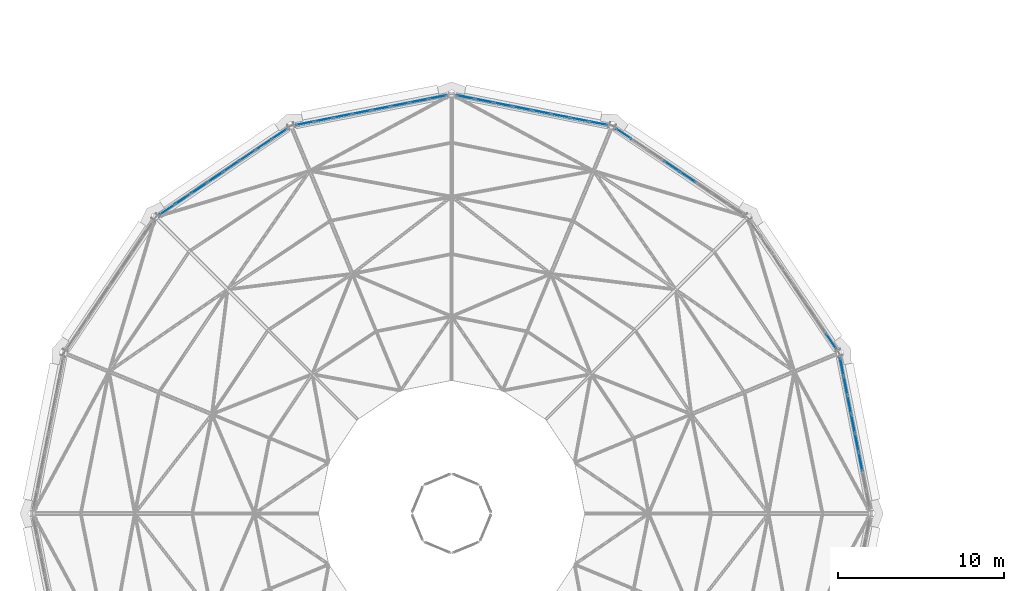
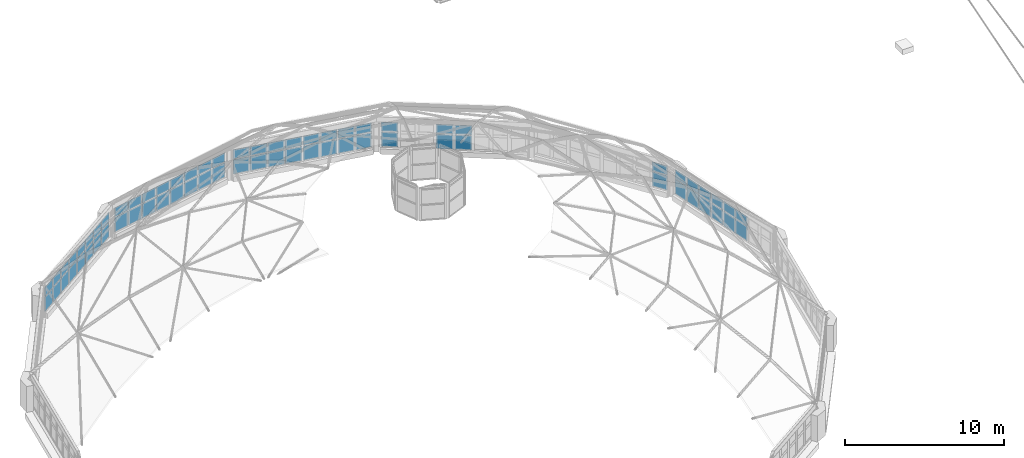
# One storey, part 43 of 68: 68 plates, 6 elements without a shape of their own.
"""IFC4 building model written with IfcOpenShell, lengths in metres."""

from ifc_helpers import new_model, si_unit, direction, frame, origin, origin_2d, place, context, subcontext, project, spatial, rectangle, extrude, material, layer, layer_set, type_object, element, aggregate, save


model = new_model("IFC4")

# Units and contexts
model_context = context("Model", 3, precision=1e-05, world=origin(), true_north=direction((0.0, 1.0)))
body_context = subcontext(model_context, "Body", "Model", "MODEL_VIEW")
ifc_project = project(units=[si_unit("LENGTHUNIT", "METRE"), si_unit("AREAUNIT", "SQUARE_METRE"), si_unit("VOLUMEUNIT", "CUBIC_METRE"), si_unit("PLANEANGLEUNIT", "RADIAN"), si_unit("MASSUNIT", "GRAM", prefix="KILO")], contexts=[model_context])

# Site, building, storey
site_placement = place(None, origin())
site = spatial("IfcSite", under=ifc_project, at=site_placement, CompositionType="ELEMENT")
building_placement = place(site_placement, origin())
building = spatial("IfcBuilding", under=site, at=building_placement, Name="Kupolbacken Congress Centre", CompositionType="ELEMENT")
storey_placement = place(building_placement, frame((0.0, 0.0, 25.199951171875)))
storey = spatial("IfcBuildingStorey", under=building, at=storey_placement, Name="L07", CompositionType="ELEMENT", Elevation=25.199951171875)

# Curtain wall, plates
ifc_material_1 = material(Name="Aluminium mullion-transom frame with glass", Category="aluminium")
curtain_wall_type = type_object("IfcCurtainWallType", Name="CW3 curtain wall 9830x3600", PredefinedType="NOTDEFINED", material=ifc_material_1)
curtain_wall_1_placement = place(storey_placement, origin())
curtain_wall_1 = element("IfcCurtainWall", 1, at=curtain_wall_1_placement, inside=storey, type_object=curtain_wall_type, Name="E/P/drum/cw/L07/08", PredefinedType="NOTDEFINED")
ifc_material_2 = material(Name="Glass", Category="glass")
ifc_layer = layer(ifc_material_2, 0.028076171875)
ifc_layer_set = layer_set([ifc_layer], Name="Glass")
plate_type = type_object("IfcPlateType", Name="GL1 glass panel 28", PredefinedType="CURTAIN_PANEL", material=ifc_layer_set)
plate_1_placement = place(storey_placement, frame((67.7880859375, 89.507568359375, 0.4599609375), z_axis=(0.0, 0.0, 1.0), x_axis=(-0.193182327812, 0.981162875481, 0.0)))
plate_1 = element("IfcPlate", 2, at=plate_1_placement, type_object=plate_type, Name="CW3 panel 3.1", PredefinedType="CURTAIN_PANEL", context=body_context, shape_type="SweptSolid", body=[
    extrude(rectangle(XDim=1.10693359375, YDim=0.028076171875, at=origin_2d()), origin(), (0.0, 0.0, 1.0), 1.110107421875),
])
plate_2_placement = place(storey_placement, frame((67.7880859375, 89.507568359375, 1.6298828125), z_axis=(0.0, 0.0, 1.0), x_axis=(-0.193182327812, 0.981162875481, 0.0)))
plate_2 = element("IfcPlate", 3, at=plate_2_placement, type_object=plate_type, Name="CW3 panel 3.2", PredefinedType="CURTAIN_PANEL", context=body_context, shape_type="SweptSolid", body=[
    extrude(rectangle(XDim=1.10693359375, YDim=0.028076171875, at=origin_2d()), origin(), (0.0, 0.0, 1.0), 0.699951171875),
])
plate_3_placement = place(storey_placement, frame((67.562744140625, 90.652587890625, 0.4599609375), z_axis=(0.0, 0.0, 1.0), x_axis=(-0.193182327812, 0.981162875481, 0.0)))
plate_3 = element("IfcPlate", 4, at=plate_3_placement, type_object=plate_type, Name="CW3 panel 4.1", PredefinedType="CURTAIN_PANEL", context=body_context, shape_type="SweptSolid", body=[
    extrude(rectangle(XDim=1.10693359375, YDim=0.028076171875, at=origin_2d()), origin(), (0.0, 0.0, 1.0), 1.110107421875),
])
plate_4_placement = place(storey_placement, frame((67.562744140625, 90.652587890625, 1.6298828125), z_axis=(0.0, 0.0, 1.0), x_axis=(-0.193182327812, 0.981162875481, 0.0)))
plate_4 = element("IfcPlate", 5, at=plate_4_placement, type_object=plate_type, Name="CW3 panel 4.2", PredefinedType="CURTAIN_PANEL", context=body_context, shape_type="SweptSolid", body=[
    extrude(rectangle(XDim=1.10693359375, YDim=0.028076171875, at=origin_2d()), origin(), (0.0, 0.0, 1.0), 0.699951171875),
])
plate_5_placement = place(storey_placement, frame((67.33740234375, 91.79736328125, 0.4599609375), z_axis=(0.0, 0.0, 1.0), x_axis=(-0.193182327812, 0.981162875481, 0.0)))
plate_5 = element("IfcPlate", 6, at=plate_5_placement, type_object=plate_type, Name="CW3 panel 5.1", PredefinedType="CURTAIN_PANEL", context=body_context, shape_type="SweptSolid", body=[
    extrude(rectangle(XDim=1.10693359375, YDim=0.028076171875, at=origin_2d()), origin(), (0.0, 0.0, 1.0), 1.110107421875),
])
plate_6_placement = place(storey_placement, frame((67.33740234375, 91.79736328125, 1.6298828125), z_axis=(0.0, 0.0, 1.0), x_axis=(-0.193182327812, 0.981162875481, 0.0)))
plate_6 = element("IfcPlate", 7, at=plate_6_placement, type_object=plate_type, Name="CW3 panel 5.2", PredefinedType="CURTAIN_PANEL", context=body_context, shape_type="SweptSolid", body=[
    extrude(rectangle(XDim=1.10693359375, YDim=0.028076171875, at=origin_2d()), origin(), (0.0, 0.0, 1.0), 0.699951171875),
])
plate_7_placement = place(storey_placement, frame((67.11181640625, 92.9423828125, 0.4599609375), z_axis=(0.0, 0.0, 1.0), x_axis=(-0.193182327812, 0.981162875481, 0.0)))
plate_7 = element("IfcPlate", 8, at=plate_7_placement, type_object=plate_type, Name="CW3 panel 6.1", PredefinedType="CURTAIN_PANEL", context=body_context, shape_type="SweptSolid", body=[
    extrude(rectangle(XDim=1.10693359375, YDim=0.028076171875, at=origin_2d()), origin(), (0.0, 0.0, 1.0), 1.110107421875),
])
plate_8_placement = place(storey_placement, frame((67.11181640625, 92.9423828125, 1.6298828125), z_axis=(0.0, 0.0, 1.0), x_axis=(-0.193182327812, 0.981162875481, 0.0)))
plate_8 = element("IfcPlate", 9, at=plate_8_placement, type_object=plate_type, Name="CW3 panel 6.2", PredefinedType="CURTAIN_PANEL", context=body_context, shape_type="SweptSolid", body=[
    extrude(rectangle(XDim=1.10693359375, YDim=0.028076171875, at=origin_2d()), origin(), (0.0, 0.0, 1.0), 0.699951171875),
])
plate_9_placement = place(storey_placement, frame((66.886474609375, 94.08740234375, 0.4599609375), z_axis=(0.0, 0.0, 1.0), x_axis=(-0.193182327812, 0.981162875481, 0.0)))
plate_9 = element("IfcPlate", 10, at=plate_9_placement, type_object=plate_type, Name="CW3 panel 7.1", PredefinedType="CURTAIN_PANEL", context=body_context, shape_type="SweptSolid", body=[
    extrude(rectangle(XDim=1.10693359375, YDim=0.028076171875, at=origin_2d()), origin(), (0.0, 0.0, 1.0), 1.110107421875),
])
plate_10_placement = place(storey_placement, frame((66.886474609375, 94.08740234375, 1.6298828125), z_axis=(0.0, 0.0, 1.0), x_axis=(-0.193182327812, 0.981162875481, 0.0)))
plate_10 = element("IfcPlate", 11, at=plate_10_placement, type_object=plate_type, Name="CW3 panel 7.2", PredefinedType="CURTAIN_PANEL", context=body_context, shape_type="SweptSolid", body=[
    extrude(rectangle(XDim=1.10693359375, YDim=0.028076171875, at=origin_2d()), origin(), (0.0, 0.0, 1.0), 0.699951171875),
])
plate_11_placement = place(storey_placement, frame((66.663818359375, 95.217529296875, 0.4599609375), z_axis=(0.0, 0.0, 1.0), x_axis=(-0.193182327812, 0.981162875481, 0.0)))
plate_11 = element("IfcPlate", 12, at=plate_11_placement, type_object=plate_type, Name="CW3 panel 8.1", PredefinedType="CURTAIN_PANEL", context=body_context, shape_type="SweptSolid", body=[
    extrude(rectangle(XDim=1.076904296875, YDim=0.028076171875, at=origin_2d()), origin(), (0.0, 0.0, 1.0), 1.110107421875),
])
plate_12_placement = place(storey_placement, frame((66.663818359375, 95.217529296875, 1.6298828125), z_axis=(0.0, 0.0, 1.0), x_axis=(-0.193182327812, 0.981162875481, 0.0)))
plate_12 = element("IfcPlate", 13, at=plate_12_placement, type_object=plate_type, Name="CW3 panel 8.2", PredefinedType="CURTAIN_PANEL", context=body_context, shape_type="SweptSolid", body=[
    extrude(rectangle(XDim=1.076904296875, YDim=0.028076171875, at=origin_2d()), origin(), (0.0, 0.0, 1.0), 0.699951171875),
])
aggregate(curtain_wall_1, [plate_1, plate_2, plate_3, plate_4, plate_5, plate_6, plate_7, plate_8, plate_9, plate_10, plate_11, plate_12])

curtain_wall_2_placement = place(storey_placement, origin())
curtain_wall_2 = element("IfcCurtainWall", 14, at=curtain_wall_2_placement, inside=storey, type_object=curtain_wall_type, Name="E/P/drum/cw/L07/09", PredefinedType="NOTDEFINED")
plate_13_placement = place(storey_placement, frame((66.025390625, 96.753173828125, 0.4599609375), z_axis=(0.0, 0.0, 1.0), x_axis=(-0.559385512775, 0.82890762338, 0.0)))
plate_13 = element("IfcPlate", 15, at=plate_13_placement, type_object=plate_type, Name="CW3 panel 1.1", PredefinedType="CURTAIN_PANEL", context=body_context, shape_type="SweptSolid", body=[
    extrude(rectangle(XDim=1.076416015625, YDim=0.028076171875, at=origin_2d()), origin(), (0.0, 0.0, 1.0), 1.110107421875),
])
plate_14_placement = place(storey_placement, frame((66.025390625, 96.753173828125, 1.6298828125), z_axis=(0.0, 0.0, 1.0), x_axis=(-0.559385512775, 0.82890762338, 0.0)))
plate_14 = element("IfcPlate", 16, at=plate_14_placement, type_object=plate_type, Name="CW3 panel 1.2", PredefinedType="CURTAIN_PANEL", context=body_context, shape_type="SweptSolid", body=[
    extrude(rectangle(XDim=1.076416015625, YDim=0.028076171875, at=origin_2d()), origin(), (0.0, 0.0, 1.0), 0.699951171875),
])
aggregate(curtain_wall_2, [plate_13, plate_14])

curtain_wall_3_placement = place(storey_placement, origin())
curtain_wall_3 = element("IfcCurtainWall", 17, at=curtain_wall_3_placement, inside=storey, type_object=curtain_wall_type, Name="E/P/drum/cw/L07/10", PredefinedType="NOTDEFINED")
plate_15_placement = place(storey_placement, frame((57.408447265625, 106.623779296875, 0.4599609375), z_axis=(0.0, 0.0, 1.0), x_axis=(-0.82890762338, 0.559385512775, 0.0)))
plate_15 = element("IfcPlate", 18, at=plate_15_placement, type_object=plate_type, Name="CW3 panel 4.1", PredefinedType="CURTAIN_PANEL", context=body_context, shape_type="SweptSolid", body=[
    extrude(rectangle(XDim=1.1064453125, YDim=0.028076171875, at=origin_2d()), origin(), (0.0, 0.0, 1.0), 1.110107421875),
])
plate_16_placement = place(storey_placement, frame((57.408447265625, 106.623779296875, 1.6298828125), z_axis=(0.0, 0.0, 1.0), x_axis=(-0.82890762338, 0.559385512775, 0.0)))
plate_16 = element("IfcPlate", 19, at=plate_16_placement, type_object=plate_type, Name="CW3 panel 4.2", PredefinedType="CURTAIN_PANEL", context=body_context, shape_type="SweptSolid", body=[
    extrude(rectangle(XDim=1.1064453125, YDim=0.028076171875, at=origin_2d()), origin(), (0.0, 0.0, 1.0), 0.699951171875),
])
plate_17_placement = place(storey_placement, frame((56.441650390625, 107.2763671875, 0.4599609375), z_axis=(0.0, 0.0, 1.0), x_axis=(-0.82890762338, 0.559385512775, 0.0)))
plate_17 = element("IfcPlate", 20, at=plate_17_placement, type_object=plate_type, Name="CW3 panel 5.1", PredefinedType="CURTAIN_PANEL", context=body_context, shape_type="SweptSolid", body=[
    extrude(rectangle(XDim=1.1064453125, YDim=0.028076171875, at=origin_2d()), origin(), (0.0, 0.0, 1.0), 1.110107421875),
])
plate_18_placement = place(storey_placement, frame((56.441650390625, 107.2763671875, 1.6298828125), z_axis=(0.0, 0.0, 1.0), x_axis=(-0.82890762338, 0.559385512775, 0.0)))
plate_18 = element("IfcPlate", 21, at=plate_18_placement, type_object=plate_type, Name="CW3 panel 5.2", PredefinedType="CURTAIN_PANEL", context=body_context, shape_type="SweptSolid", body=[
    extrude(rectangle(XDim=1.1064453125, YDim=0.028076171875, at=origin_2d()), origin(), (0.0, 0.0, 1.0), 0.699951171875),
])
plate_19_placement = place(storey_placement, frame((53.55322265625, 109.2255859375, 0.4599609375), z_axis=(0.0, 0.0, 1.0), x_axis=(-0.82890762338, 0.559385512775, 0.0)))
plate_19 = element("IfcPlate", 22, at=plate_19_placement, type_object=plate_type, Name="CW3 panel 8.1", PredefinedType="CURTAIN_PANEL", context=body_context, shape_type="SweptSolid", body=[
    extrude(rectangle(XDim=1.076416015625, YDim=0.028076171875, at=origin_2d()), origin(), (0.0, 0.0, 1.0), 1.110107421875),
])
plate_20_placement = place(storey_placement, frame((53.55322265625, 109.2255859375, 1.6298828125), z_axis=(0.0, 0.0, 1.0), x_axis=(-0.82890762338, 0.559385512775, 0.0)))
plate_20 = element("IfcPlate", 23, at=plate_20_placement, type_object=plate_type, Name="CW3 panel 8.2", PredefinedType="CURTAIN_PANEL", context=body_context, shape_type="SweptSolid", body=[
    extrude(rectangle(XDim=1.076416015625, YDim=0.028076171875, at=origin_2d()), origin(), (0.0, 0.0, 1.0), 0.699951171875),
])
aggregate(curtain_wall_3, [plate_15, plate_16, plate_17, plate_18, plate_19, plate_20])

curtain_wall_4_placement = place(storey_placement, origin())
curtain_wall_4 = element("IfcCurtainWall", 24, at=curtain_wall_4_placement, inside=storey, type_object=curtain_wall_type, Name="E/P/drum/cw/L07/11", PredefinedType="NOTDEFINED")
plate_21_placement = place(storey_placement, frame((52.017578125, 109.864013671875, 0.4599609375), z_axis=(0.0, 0.0, 1.0), x_axis=(-0.981162875481, 0.193182327812, 0.0)))
plate_21 = element("IfcPlate", 25, at=plate_21_placement, type_object=plate_type, Name="CW3 panel 1.1", PredefinedType="CURTAIN_PANEL", context=body_context, shape_type="SweptSolid", body=[
    extrude(rectangle(XDim=1.076904296875, YDim=0.028076171875, at=origin_2d()), origin(), (0.0, 0.0, 1.0), 1.110107421875),
])
plate_22_placement = place(storey_placement, frame((52.017578125, 109.864013671875, 1.6298828125), z_axis=(0.0, 0.0, 1.0), x_axis=(-0.981162875481, 0.193182327812, 0.0)))
plate_22 = element("IfcPlate", 26, at=plate_22_placement, type_object=plate_type, Name="CW3 panel 1.2", PredefinedType="CURTAIN_PANEL", context=body_context, shape_type="SweptSolid", body=[
    extrude(rectangle(XDim=1.076904296875, YDim=0.028076171875, at=origin_2d()), origin(), (0.0, 0.0, 1.0), 0.699951171875),
])
plate_23_placement = place(storey_placement, frame((50.88720703125, 110.08642578125, 0.4599609375), z_axis=(0.0, 0.0, 1.0), x_axis=(-0.981162875481, 0.193182327812, 0.0)))
plate_23 = element("IfcPlate", 27, at=plate_23_placement, type_object=plate_type, Name="CW3 panel 2.1", PredefinedType="CURTAIN_PANEL", context=body_context, shape_type="SweptSolid", body=[
    extrude(rectangle(XDim=1.10693359375, YDim=0.028076171875, at=origin_2d()), origin(), (0.0, 0.0, 1.0), 1.110107421875),
])
plate_24_placement = place(storey_placement, frame((50.88720703125, 110.08642578125, 1.6298828125), z_axis=(0.0, 0.0, 1.0), x_axis=(-0.981162875481, 0.193182327812, 0.0)))
plate_24 = element("IfcPlate", 28, at=plate_24_placement, type_object=plate_type, Name="CW3 panel 2.2", PredefinedType="CURTAIN_PANEL", context=body_context, shape_type="SweptSolid", body=[
    extrude(rectangle(XDim=1.10693359375, YDim=0.028076171875, at=origin_2d()), origin(), (0.0, 0.0, 1.0), 0.699951171875),
])
plate_25_placement = place(storey_placement, frame((49.742431640625, 110.311767578125, 0.4599609375), z_axis=(0.0, 0.0, 1.0), x_axis=(-0.981162875481, 0.193182327812, 0.0)))
plate_25 = element("IfcPlate", 29, at=plate_25_placement, type_object=plate_type, Name="CW3 panel 3.1", PredefinedType="CURTAIN_PANEL", context=body_context, shape_type="SweptSolid", body=[
    extrude(rectangle(XDim=1.10693359375, YDim=0.028076171875, at=origin_2d()), origin(), (0.0, 0.0, 1.0), 1.110107421875),
])
plate_26_placement = place(storey_placement, frame((49.742431640625, 110.311767578125, 1.6298828125), z_axis=(0.0, 0.0, 1.0), x_axis=(-0.981162875481, 0.193182327812, 0.0)))
plate_26 = element("IfcPlate", 30, at=plate_26_placement, type_object=plate_type, Name="CW3 panel 3.2", PredefinedType="CURTAIN_PANEL", context=body_context, shape_type="SweptSolid", body=[
    extrude(rectangle(XDim=1.10693359375, YDim=0.028076171875, at=origin_2d()), origin(), (0.0, 0.0, 1.0), 0.699951171875),
])
plate_27_placement = place(storey_placement, frame((48.597412109375, 110.537353515625, 0.4599609375), z_axis=(0.0, 0.0, 1.0), x_axis=(-0.981162875481, 0.193182327812, 0.0)))
plate_27 = element("IfcPlate", 31, at=plate_27_placement, type_object=plate_type, Name="CW3 panel 4.1", PredefinedType="CURTAIN_PANEL", context=body_context, shape_type="SweptSolid", body=[
    extrude(rectangle(XDim=1.10693359375, YDim=0.028076171875, at=origin_2d()), origin(), (0.0, 0.0, 1.0), 1.110107421875),
])
plate_28_placement = place(storey_placement, frame((48.597412109375, 110.537353515625, 1.6298828125), z_axis=(0.0, 0.0, 1.0), x_axis=(-0.981162875481, 0.193182327812, 0.0)))
plate_28 = element("IfcPlate", 32, at=plate_28_placement, type_object=plate_type, Name="CW3 panel 4.2", PredefinedType="CURTAIN_PANEL", context=body_context, shape_type="SweptSolid", body=[
    extrude(rectangle(XDim=1.10693359375, YDim=0.028076171875, at=origin_2d()), origin(), (0.0, 0.0, 1.0), 0.699951171875),
])
plate_29_placement = place(storey_placement, frame((47.45263671875, 110.7626953125, 0.4599609375), z_axis=(0.0, 0.0, 1.0), x_axis=(-0.981162875481, 0.193182327812, 0.0)))
plate_29 = element("IfcPlate", 33, at=plate_29_placement, type_object=plate_type, Name="CW3 panel 5.1", PredefinedType="CURTAIN_PANEL", context=body_context, shape_type="SweptSolid", body=[
    extrude(rectangle(XDim=1.10693359375, YDim=0.028076171875, at=origin_2d()), origin(), (0.0, 0.0, 1.0), 1.110107421875),
])
plate_30_placement = place(storey_placement, frame((47.45263671875, 110.7626953125, 1.6298828125), z_axis=(0.0, 0.0, 1.0), x_axis=(-0.981162875481, 0.193182327812, 0.0)))
plate_30 = element("IfcPlate", 34, at=plate_30_placement, type_object=plate_type, Name="CW3 panel 5.2", PredefinedType="CURTAIN_PANEL", context=body_context, shape_type="SweptSolid", body=[
    extrude(rectangle(XDim=1.10693359375, YDim=0.028076171875, at=origin_2d()), origin(), (0.0, 0.0, 1.0), 0.699951171875),
])
plate_31_placement = place(storey_placement, frame((46.3076171875, 110.988037109375, 0.4599609375), z_axis=(0.0, 0.0, 1.0), x_axis=(-0.981162875481, 0.193182327812, 0.0)))
plate_31 = element("IfcPlate", 35, at=plate_31_placement, type_object=plate_type, Name="CW3 panel 6.1", PredefinedType="CURTAIN_PANEL", context=body_context, shape_type="SweptSolid", body=[
    extrude(rectangle(XDim=1.10693359375, YDim=0.028076171875, at=origin_2d()), origin(), (0.0, 0.0, 1.0), 1.110107421875),
])
plate_32_placement = place(storey_placement, frame((46.3076171875, 110.988037109375, 1.6298828125), z_axis=(0.0, 0.0, 1.0), x_axis=(-0.981162875481, 0.193182327812, 0.0)))
plate_32 = element("IfcPlate", 36, at=plate_32_placement, type_object=plate_type, Name="CW3 panel 6.2", PredefinedType="CURTAIN_PANEL", context=body_context, shape_type="SweptSolid", body=[
    extrude(rectangle(XDim=1.10693359375, YDim=0.028076171875, at=origin_2d()), origin(), (0.0, 0.0, 1.0), 0.699951171875),
])
plate_33_placement = place(storey_placement, frame((45.16259765625, 111.213623046875, 0.4599609375), z_axis=(0.0, 0.0, 1.0), x_axis=(-0.981162875481, 0.193182327812, 0.0)))
plate_33 = element("IfcPlate", 37, at=plate_33_placement, type_object=plate_type, Name="CW3 panel 7.1", PredefinedType="CURTAIN_PANEL", context=body_context, shape_type="SweptSolid", body=[
    extrude(rectangle(XDim=1.10693359375, YDim=0.028076171875, at=origin_2d()), origin(), (0.0, 0.0, 1.0), 1.110107421875),
])
plate_34_placement = place(storey_placement, frame((45.16259765625, 111.213623046875, 1.6298828125), z_axis=(0.0, 0.0, 1.0), x_axis=(-0.981162875481, 0.193182327812, 0.0)))
plate_34 = element("IfcPlate", 38, at=plate_34_placement, type_object=plate_type, Name="CW3 panel 7.2", PredefinedType="CURTAIN_PANEL", context=body_context, shape_type="SweptSolid", body=[
    extrude(rectangle(XDim=1.10693359375, YDim=0.028076171875, at=origin_2d()), origin(), (0.0, 0.0, 1.0), 0.699951171875),
])
plate_35_placement = place(storey_placement, frame((44.032470703125, 111.43603515625, 0.4599609375), z_axis=(0.0, 0.0, 1.0), x_axis=(-0.981162875481, 0.193182327812, 0.0)))
plate_35 = element("IfcPlate", 39, at=plate_35_placement, type_object=plate_type, Name="CW3 panel 8.1", PredefinedType="CURTAIN_PANEL", context=body_context, shape_type="SweptSolid", body=[
    extrude(rectangle(XDim=1.076904296875, YDim=0.028076171875, at=origin_2d()), origin(), (0.0, 0.0, 1.0), 1.110107421875),
])
plate_36_placement = place(storey_placement, frame((44.032470703125, 111.43603515625, 1.6298828125), z_axis=(0.0, 0.0, 1.0), x_axis=(-0.981162875481, 0.193182327812, 0.0)))
plate_36 = element("IfcPlate", 40, at=plate_36_placement, type_object=plate_type, Name="CW3 panel 8.2", PredefinedType="CURTAIN_PANEL", context=body_context, shape_type="SweptSolid", body=[
    extrude(rectangle(XDim=1.076904296875, YDim=0.028076171875, at=origin_2d()), origin(), (0.0, 0.0, 1.0), 0.699951171875),
])
aggregate(curtain_wall_4, [plate_21, plate_22, plate_23, plate_24, plate_25, plate_26, plate_27, plate_28, plate_29, plate_30, plate_31, plate_32, plate_33, plate_34, plate_35, plate_36])

curtain_wall_5_placement = place(storey_placement, origin())
curtain_wall_5 = element("IfcCurtainWall", 41, at=curtain_wall_5_placement, inside=storey, type_object=curtain_wall_type, Name="E/P/drum/cw/L07/12", PredefinedType="NOTDEFINED")
plate_37_placement = place(storey_placement, frame((42.367431640625, 111.43603515625, 0.4599609375), z_axis=(0.0, 0.0, 1.0), x_axis=(-0.981162875481, -0.193182327812, 0.0)))
plate_37 = element("IfcPlate", 42, at=plate_37_placement, type_object=plate_type, Name="CW3 panel 1.1", PredefinedType="CURTAIN_PANEL", context=body_context, shape_type="SweptSolid", body=[
    extrude(rectangle(XDim=1.076904296875, YDim=0.028076171875, at=origin_2d()), origin(), (0.0, 0.0, 1.0), 1.110107421875),
])
plate_38_placement = place(storey_placement, frame((42.367431640625, 111.43603515625, 1.6298828125), z_axis=(0.0, 0.0, 1.0), x_axis=(-0.981162875481, -0.193182327812, 0.0)))
plate_38 = element("IfcPlate", 43, at=plate_38_placement, type_object=plate_type, Name="CW3 panel 1.2", PredefinedType="CURTAIN_PANEL", context=body_context, shape_type="SweptSolid", body=[
    extrude(rectangle(XDim=1.076904296875, YDim=0.028076171875, at=origin_2d()), origin(), (0.0, 0.0, 1.0), 0.699951171875),
])
plate_39_placement = place(storey_placement, frame((41.2373046875, 111.213623046875, 0.4599609375), z_axis=(0.0, 0.0, 1.0), x_axis=(-0.981162875481, -0.193182327812, 0.0)))
plate_39 = element("IfcPlate", 44, at=plate_39_placement, type_object=plate_type, Name="CW3 panel 2.1", PredefinedType="CURTAIN_PANEL", context=body_context, shape_type="SweptSolid", body=[
    extrude(rectangle(XDim=1.10693359375, YDim=0.028076171875, at=origin_2d()), origin(), (0.0, 0.0, 1.0), 1.110107421875),
])
plate_40_placement = place(storey_placement, frame((41.2373046875, 111.213623046875, 1.6298828125), z_axis=(0.0, 0.0, 1.0), x_axis=(-0.981162875481, -0.193182327812, 0.0)))
plate_40 = element("IfcPlate", 45, at=plate_40_placement, type_object=plate_type, Name="CW3 panel 2.2", PredefinedType="CURTAIN_PANEL", context=body_context, shape_type="SweptSolid", body=[
    extrude(rectangle(XDim=1.10693359375, YDim=0.028076171875, at=origin_2d()), origin(), (0.0, 0.0, 1.0), 0.699951171875),
])
plate_41_placement = place(storey_placement, frame((40.09228515625, 110.988037109375, 0.4599609375), z_axis=(0.0, 0.0, 1.0), x_axis=(-0.981162875481, -0.193182327812, 0.0)))
plate_41 = element("IfcPlate", 46, at=plate_41_placement, type_object=plate_type, Name="CW3 panel 3.1", PredefinedType="CURTAIN_PANEL", context=body_context, shape_type="SweptSolid", body=[
    extrude(rectangle(XDim=1.10693359375, YDim=0.028076171875, at=origin_2d()), origin(), (0.0, 0.0, 1.0), 1.110107421875),
])
plate_42_placement = place(storey_placement, frame((40.09228515625, 110.988037109375, 1.6298828125), z_axis=(0.0, 0.0, 1.0), x_axis=(-0.981162875481, -0.193182327812, 0.0)))
plate_42 = element("IfcPlate", 47, at=plate_42_placement, type_object=plate_type, Name="CW3 panel 3.2", PredefinedType="CURTAIN_PANEL", context=body_context, shape_type="SweptSolid", body=[
    extrude(rectangle(XDim=1.10693359375, YDim=0.028076171875, at=origin_2d()), origin(), (0.0, 0.0, 1.0), 0.699951171875),
])
plate_43_placement = place(storey_placement, frame((38.947509765625, 110.7626953125, 0.4599609375), z_axis=(0.0, 0.0, 1.0), x_axis=(-0.981162875481, -0.193182327812, 0.0)))
plate_43 = element("IfcPlate", 48, at=plate_43_placement, type_object=plate_type, Name="CW3 panel 4.1", PredefinedType="CURTAIN_PANEL", context=body_context, shape_type="SweptSolid", body=[
    extrude(rectangle(XDim=1.10693359375, YDim=0.028076171875, at=origin_2d()), origin(), (0.0, 0.0, 1.0), 1.110107421875),
])
plate_44_placement = place(storey_placement, frame((38.947509765625, 110.7626953125, 1.6298828125), z_axis=(0.0, 0.0, 1.0), x_axis=(-0.981162875481, -0.193182327812, 0.0)))
plate_44 = element("IfcPlate", 49, at=plate_44_placement, type_object=plate_type, Name="CW3 panel 4.2", PredefinedType="CURTAIN_PANEL", context=body_context, shape_type="SweptSolid", body=[
    extrude(rectangle(XDim=1.10693359375, YDim=0.028076171875, at=origin_2d()), origin(), (0.0, 0.0, 1.0), 0.699951171875),
])
plate_45_placement = place(storey_placement, frame((37.802490234375, 110.537353515625, 0.4599609375), z_axis=(0.0, 0.0, 1.0), x_axis=(-0.981162875481, -0.193182327812, 0.0)))
plate_45 = element("IfcPlate", 50, at=plate_45_placement, type_object=plate_type, Name="CW3 panel 5.1", PredefinedType="CURTAIN_PANEL", context=body_context, shape_type="SweptSolid", body=[
    extrude(rectangle(XDim=1.10693359375, YDim=0.028076171875, at=origin_2d()), origin(), (0.0, 0.0, 1.0), 1.110107421875),
])
plate_46_placement = place(storey_placement, frame((37.802490234375, 110.537353515625, 1.6298828125), z_axis=(0.0, 0.0, 1.0), x_axis=(-0.981162875481, -0.193182327812, 0.0)))
plate_46 = element("IfcPlate", 51, at=plate_46_placement, type_object=plate_type, Name="CW3 panel 5.2", PredefinedType="CURTAIN_PANEL", context=body_context, shape_type="SweptSolid", body=[
    extrude(rectangle(XDim=1.10693359375, YDim=0.028076171875, at=origin_2d()), origin(), (0.0, 0.0, 1.0), 0.699951171875),
])
plate_47_placement = place(storey_placement, frame((36.65771484375, 110.311767578125, 0.4599609375), z_axis=(0.0, 0.0, 1.0), x_axis=(-0.981162875481, -0.193182327812, 0.0)))
plate_47 = element("IfcPlate", 52, at=plate_47_placement, type_object=plate_type, Name="CW3 panel 6.1", PredefinedType="CURTAIN_PANEL", context=body_context, shape_type="SweptSolid", body=[
    extrude(rectangle(XDim=1.10693359375, YDim=0.028076171875, at=origin_2d()), origin(), (0.0, 0.0, 1.0), 1.110107421875),
])
plate_48_placement = place(storey_placement, frame((36.65771484375, 110.311767578125, 1.6298828125), z_axis=(0.0, 0.0, 1.0), x_axis=(-0.981162875481, -0.193182327812, 0.0)))
plate_48 = element("IfcPlate", 53, at=plate_48_placement, type_object=plate_type, Name="CW3 panel 6.2", PredefinedType="CURTAIN_PANEL", context=body_context, shape_type="SweptSolid", body=[
    extrude(rectangle(XDim=1.10693359375, YDim=0.028076171875, at=origin_2d()), origin(), (0.0, 0.0, 1.0), 0.699951171875),
])
plate_49_placement = place(storey_placement, frame((35.5126953125, 110.08642578125, 0.4599609375), z_axis=(0.0, 0.0, 1.0), x_axis=(-0.981162875481, -0.193182327812, 0.0)))
plate_49 = element("IfcPlate", 54, at=plate_49_placement, type_object=plate_type, Name="CW3 panel 7.1", PredefinedType="CURTAIN_PANEL", context=body_context, shape_type="SweptSolid", body=[
    extrude(rectangle(XDim=1.10693359375, YDim=0.028076171875, at=origin_2d()), origin(), (0.0, 0.0, 1.0), 1.110107421875),
])
plate_50_placement = place(storey_placement, frame((35.5126953125, 110.08642578125, 1.6298828125), z_axis=(0.0, 0.0, 1.0), x_axis=(-0.981162875481, -0.193182327812, 0.0)))
plate_50 = element("IfcPlate", 55, at=plate_50_placement, type_object=plate_type, Name="CW3 panel 7.2", PredefinedType="CURTAIN_PANEL", context=body_context, shape_type="SweptSolid", body=[
    extrude(rectangle(XDim=1.10693359375, YDim=0.028076171875, at=origin_2d()), origin(), (0.0, 0.0, 1.0), 0.699951171875),
])
plate_51_placement = place(storey_placement, frame((34.382568359375, 109.864013671875, 0.4599609375), z_axis=(0.0, 0.0, 1.0), x_axis=(-0.981162875481, -0.193182327812, 0.0)))
plate_51 = element("IfcPlate", 56, at=plate_51_placement, type_object=plate_type, Name="CW3 panel 8.1", PredefinedType="CURTAIN_PANEL", context=body_context, shape_type="SweptSolid", body=[
    extrude(rectangle(XDim=1.076904296875, YDim=0.028076171875, at=origin_2d()), origin(), (0.0, 0.0, 1.0), 1.110107421875),
])
plate_52_placement = place(storey_placement, frame((34.382568359375, 109.864013671875, 1.6298828125), z_axis=(0.0, 0.0, 1.0), x_axis=(-0.981162875481, -0.193182327812, 0.0)))
plate_52 = element("IfcPlate", 57, at=plate_52_placement, type_object=plate_type, Name="CW3 panel 8.2", PredefinedType="CURTAIN_PANEL", context=body_context, shape_type="SweptSolid", body=[
    extrude(rectangle(XDim=1.076904296875, YDim=0.028076171875, at=origin_2d()), origin(), (0.0, 0.0, 1.0), 0.699951171875),
])
aggregate(curtain_wall_5, [plate_37, plate_38, plate_39, plate_40, plate_41, plate_42, plate_43, plate_44, plate_45, plate_46, plate_47, plate_48, plate_49, plate_50, plate_51, plate_52])

curtain_wall_6_placement = place(storey_placement, origin())
curtain_wall_6 = element("IfcCurtainWall", 58, at=curtain_wall_6_placement, inside=storey, type_object=curtain_wall_type, Name="E/P/drum/cw/L07/13", PredefinedType="NOTDEFINED")
plate_53_placement = place(storey_placement, frame((32.846923828125, 109.2255859375, 0.4599609375), z_axis=(0.0, 0.0, 1.0), x_axis=(-0.82890762338, -0.559385512775, 0.0)))
plate_53 = element("IfcPlate", 59, at=plate_53_placement, type_object=plate_type, Name="CW3 panel 1.1", PredefinedType="CURTAIN_PANEL", context=body_context, shape_type="SweptSolid", body=[
    extrude(rectangle(XDim=1.076416015625, YDim=0.028076171875, at=origin_2d()), origin(), (0.0, 0.0, 1.0), 1.110107421875),
])
plate_54_placement = place(storey_placement, frame((32.846923828125, 109.2255859375, 1.6298828125), z_axis=(0.0, 0.0, 1.0), x_axis=(-0.82890762338, -0.559385512775, 0.0)))
plate_54 = element("IfcPlate", 60, at=plate_54_placement, type_object=plate_type, Name="CW3 panel 1.2", PredefinedType="CURTAIN_PANEL", context=body_context, shape_type="SweptSolid", body=[
    extrude(rectangle(XDim=1.076416015625, YDim=0.028076171875, at=origin_2d()), origin(), (0.0, 0.0, 1.0), 0.699951171875),
])
plate_55_placement = place(storey_placement, frame((31.892333984375, 108.581298828125, 0.4599609375), z_axis=(0.0, 0.0, 1.0), x_axis=(-0.82890762338, -0.559385512775, 0.0)))
plate_55 = element("IfcPlate", 61, at=plate_55_placement, type_object=plate_type, Name="CW3 panel 2.1", PredefinedType="CURTAIN_PANEL", context=body_context, shape_type="SweptSolid", body=[
    extrude(rectangle(XDim=1.1064453125, YDim=0.028076171875, at=origin_2d()), origin(), (0.0, 0.0, 1.0), 1.110107421875),
])
plate_56_placement = place(storey_placement, frame((31.892333984375, 108.581298828125, 1.6298828125), z_axis=(0.0, 0.0, 1.0), x_axis=(-0.82890762338, -0.559385512775, 0.0)))
plate_56 = element("IfcPlate", 62, at=plate_56_placement, type_object=plate_type, Name="CW3 panel 2.2", PredefinedType="CURTAIN_PANEL", context=body_context, shape_type="SweptSolid", body=[
    extrude(rectangle(XDim=1.1064453125, YDim=0.028076171875, at=origin_2d()), origin(), (0.0, 0.0, 1.0), 0.699951171875),
])
plate_57_placement = place(storey_placement, frame((30.92529296875, 107.9287109375, 0.4599609375), z_axis=(0.0, 0.0, 1.0), x_axis=(-0.82890762338, -0.559385512775, 0.0)))
plate_57 = element("IfcPlate", 63, at=plate_57_placement, type_object=plate_type, Name="CW3 panel 3.1", PredefinedType="CURTAIN_PANEL", context=body_context, shape_type="SweptSolid", body=[
    extrude(rectangle(XDim=1.1064453125, YDim=0.028076171875, at=origin_2d()), origin(), (0.0, 0.0, 1.0), 1.110107421875),
])
plate_58_placement = place(storey_placement, frame((30.92529296875, 107.9287109375, 1.6298828125), z_axis=(0.0, 0.0, 1.0), x_axis=(-0.82890762338, -0.559385512775, 0.0)))
plate_58 = element("IfcPlate", 64, at=plate_58_placement, type_object=plate_type, Name="CW3 panel 3.2", PredefinedType="CURTAIN_PANEL", context=body_context, shape_type="SweptSolid", body=[
    extrude(rectangle(XDim=1.1064453125, YDim=0.028076171875, at=origin_2d()), origin(), (0.0, 0.0, 1.0), 0.699951171875),
])
plate_59_placement = place(storey_placement, frame((29.95849609375, 107.2763671875, 0.4599609375), z_axis=(0.0, 0.0, 1.0), x_axis=(-0.82890762338, -0.559385512775, 0.0)))
plate_59 = element("IfcPlate", 65, at=plate_59_placement, type_object=plate_type, Name="CW3 panel 4.1", PredefinedType="CURTAIN_PANEL", context=body_context, shape_type="SweptSolid", body=[
    extrude(rectangle(XDim=1.1064453125, YDim=0.028076171875, at=origin_2d()), origin(), (0.0, 0.0, 1.0), 1.110107421875),
])
plate_60_placement = place(storey_placement, frame((29.95849609375, 107.2763671875, 1.6298828125), z_axis=(0.0, 0.0, 1.0), x_axis=(-0.82890762338, -0.559385512775, 0.0)))
plate_60 = element("IfcPlate", 66, at=plate_60_placement, type_object=plate_type, Name="CW3 panel 4.2", PredefinedType="CURTAIN_PANEL", context=body_context, shape_type="SweptSolid", body=[
    extrude(rectangle(XDim=1.1064453125, YDim=0.028076171875, at=origin_2d()), origin(), (0.0, 0.0, 1.0), 0.699951171875),
])
plate_61_placement = place(storey_placement, frame((28.991455078125, 106.623779296875, 0.4599609375), z_axis=(0.0, 0.0, 1.0), x_axis=(-0.82890762338, -0.559385512775, 0.0)))
plate_61 = element("IfcPlate", 67, at=plate_61_placement, type_object=plate_type, Name="CW3 panel 5.1", PredefinedType="CURTAIN_PANEL", context=body_context, shape_type="SweptSolid", body=[
    extrude(rectangle(XDim=1.1064453125, YDim=0.028076171875, at=origin_2d()), origin(), (0.0, 0.0, 1.0), 1.110107421875),
])
plate_62_placement = place(storey_placement, frame((28.991455078125, 106.623779296875, 1.6298828125), z_axis=(0.0, 0.0, 1.0), x_axis=(-0.82890762338, -0.559385512775, 0.0)))
plate_62 = element("IfcPlate", 68, at=plate_62_placement, type_object=plate_type, Name="CW3 panel 5.2", PredefinedType="CURTAIN_PANEL", context=body_context, shape_type="SweptSolid", body=[
    extrude(rectangle(XDim=1.1064453125, YDim=0.028076171875, at=origin_2d()), origin(), (0.0, 0.0, 1.0), 0.699951171875),
])
plate_63_placement = place(storey_placement, frame((28.024658203125, 105.97119140625, 0.4599609375), z_axis=(0.0, 0.0, 1.0), x_axis=(-0.82890762338, -0.559385512775, 0.0)))
plate_63 = element("IfcPlate", 69, at=plate_63_placement, type_object=plate_type, Name="CW3 panel 6.1", PredefinedType="CURTAIN_PANEL", context=body_context, shape_type="SweptSolid", body=[
    extrude(rectangle(XDim=1.1064453125, YDim=0.028076171875, at=origin_2d()), origin(), (0.0, 0.0, 1.0), 1.110107421875),
])
plate_64_placement = place(storey_placement, frame((28.024658203125, 105.97119140625, 1.6298828125), z_axis=(0.0, 0.0, 1.0), x_axis=(-0.82890762338, -0.559385512775, 0.0)))
plate_64 = element("IfcPlate", 70, at=plate_64_placement, type_object=plate_type, Name="CW3 panel 6.2", PredefinedType="CURTAIN_PANEL", context=body_context, shape_type="SweptSolid", body=[
    extrude(rectangle(XDim=1.1064453125, YDim=0.028076171875, at=origin_2d()), origin(), (0.0, 0.0, 1.0), 0.699951171875),
])
plate_65_placement = place(storey_placement, frame((27.0576171875, 105.318603515625, 0.4599609375), z_axis=(0.0, 0.0, 1.0), x_axis=(-0.82890762338, -0.559385512775, 0.0)))
plate_65 = element("IfcPlate", 71, at=plate_65_placement, type_object=plate_type, Name="CW3 panel 7.1", PredefinedType="CURTAIN_PANEL", context=body_context, shape_type="SweptSolid", body=[
    extrude(rectangle(XDim=1.1064453125, YDim=0.028076171875, at=origin_2d()), origin(), (0.0, 0.0, 1.0), 1.110107421875),
])
plate_66_placement = place(storey_placement, frame((27.0576171875, 105.318603515625, 1.6298828125), z_axis=(0.0, 0.0, 1.0), x_axis=(-0.82890762338, -0.559385512775, 0.0)))
plate_66 = element("IfcPlate", 72, at=plate_66_placement, type_object=plate_type, Name="CW3 panel 7.2", PredefinedType="CURTAIN_PANEL", context=body_context, shape_type="SweptSolid", body=[
    extrude(rectangle(XDim=1.1064453125, YDim=0.028076171875, at=origin_2d()), origin(), (0.0, 0.0, 1.0), 0.699951171875),
])
plate_67_placement = place(storey_placement, frame((26.10302734375, 104.674560546875, 0.4599609375), z_axis=(0.0, 0.0, 1.0), x_axis=(-0.82890762338, -0.559385512775, 0.0)))
plate_67 = element("IfcPlate", 73, at=plate_67_placement, type_object=plate_type, Name="CW3 panel 8.1", PredefinedType="CURTAIN_PANEL", context=body_context, shape_type="SweptSolid", body=[
    extrude(rectangle(XDim=1.076416015625, YDim=0.028076171875, at=origin_2d()), origin(), (0.0, 0.0, 1.0), 1.110107421875),
])
plate_68_placement = place(storey_placement, frame((26.10302734375, 104.674560546875, 1.6298828125), z_axis=(0.0, 0.0, 1.0), x_axis=(-0.82890762338, -0.559385512775, 0.0)))
plate_68 = element("IfcPlate", 74, at=plate_68_placement, type_object=plate_type, Name="CW3 panel 8.2", PredefinedType="CURTAIN_PANEL", context=body_context, shape_type="SweptSolid", body=[
    extrude(rectangle(XDim=1.076416015625, YDim=0.028076171875, at=origin_2d()), origin(), (0.0, 0.0, 1.0), 0.699951171875),
])
aggregate(curtain_wall_6, [plate_53, plate_54, plate_55, plate_56, plate_57, plate_58, plate_59, plate_60, plate_61, plate_62, plate_63, plate_64, plate_65, plate_66, plate_67, plate_68])

save(model, "model.ifc")
